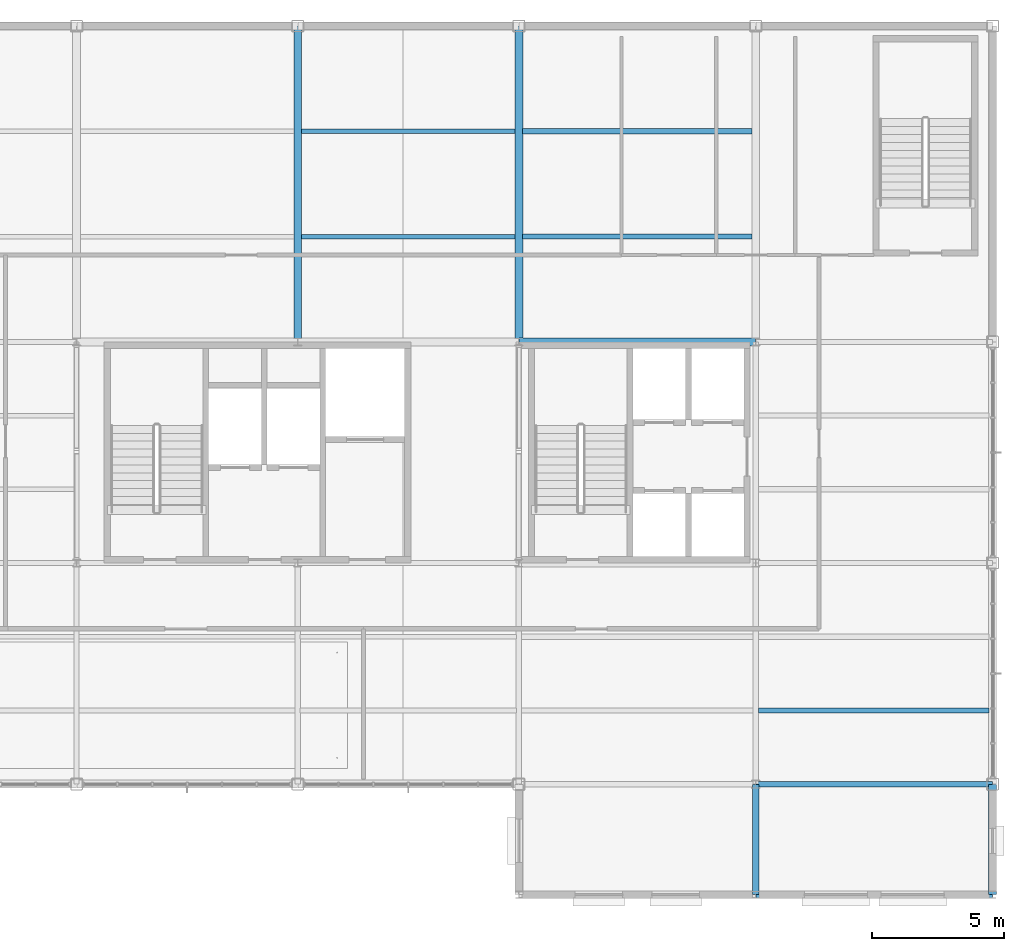
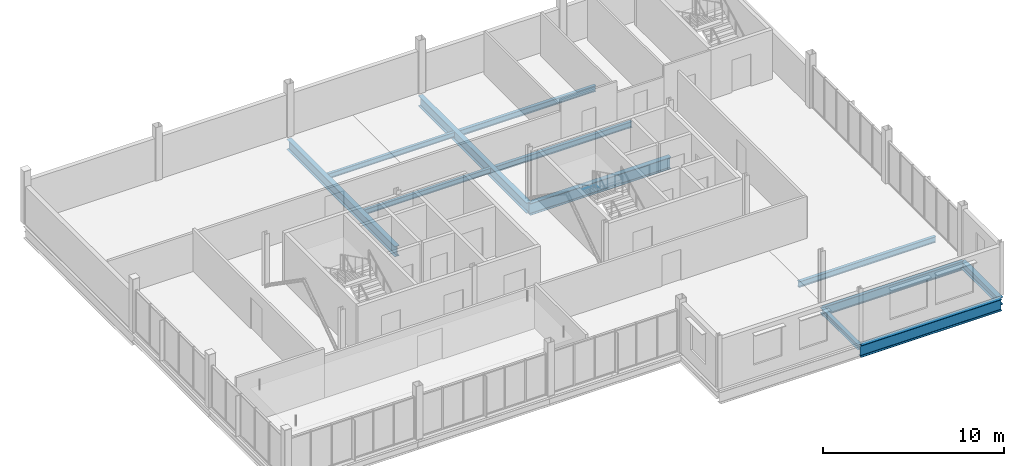
# One storey, part 7 of 19: 12 beams.
"""IFC4 building model written with IfcOpenShell, lengths in metres."""

from ifc_helpers import new_model, si_unit, direction, frame, origin, origin_2d, place, context, subcontext, project, spatial, i_section, extrude, material, material_profile, profile_set, type_object, element, save


model = new_model("IFC4")

# Units and contexts
model_context = context("Model", 3, precision=1e-05, world=origin(), true_north=direction((0.0, 1.0)))
body_context = subcontext(model_context, "Body", "Model", "MODEL_VIEW")
ifc_project = project(units=[si_unit("LENGTHUNIT", "METRE"), si_unit("AREAUNIT", "SQUARE_METRE"), si_unit("VOLUMEUNIT", "CUBIC_METRE"), si_unit("PLANEANGLEUNIT", "RADIAN"), si_unit("MASSUNIT", "GRAM", prefix="KILO")], contexts=[model_context])

# Site, building, storey
site_placement = place(None, origin())
site = spatial("IfcSite", under=ifc_project, at=site_placement, CompositionType="ELEMENT")
building_placement = place(site_placement, origin())
building = spatial("IfcBuilding", under=site, at=building_placement, Name="Yukiwa Park Conservatory and Herbarium", CompositionType="ELEMENT")
storey_placement = place(building_placement, frame((0.0, 0.0, 46.800048828125)))
storey = spatial("IfcBuildingStorey", under=building, at=storey_placement, Name="L12", CompositionType="ELEMENT", Elevation=46.800048828125)

# Beams
ifc_material_1 = material(Name="Steel Q355D", Category="steel")
ifc_material_profile_1 = material_profile(ifc_material_1, i_section(OverallWidth=0.25, OverallDepth=0.35009765625, WebThickness=0.009033203125, FlangeThickness=0.013916015625, FilletRadius=0.02001953125, at=origin_2d()), Name="HM 350x250x9x14")
ifc_profile_set_1 = profile_set([ifc_material_profile_1], Name="Steel Q355D")
beam_type_1 = type_object("IfcBeamType", Name="BM-GRD-HM350", PredefinedType="BEAM", material=ifc_profile_set_1)
beam_1_placement = place(storey_placement, frame((159.0, 82.2060546875, -0.421142578125), z_axis=(0.0, 1.0, 0.0), x_axis=(-1.0, 0.0, 0.0)))
element("IfcBeam", 1, at=beam_1_placement, inside=storey, type_object=beam_type_1, Name="L12 grid girder Y-35", PredefinedType="BEAM", context=body_context, shape_type="SweptSolid", body=[
    extrude(i_section(OverallWidth=0.25, OverallDepth=0.35009765625, WebThickness=0.009033203125, FlangeThickness=0.013916015625, FilletRadius=0.02001953125, at=origin_2d()), origin(), (0.0, 0.0, 1.0), 4.18798828125),
])
ifc_material_2 = material(Name="Steel Q355D", Category="steel")
ifc_material_profile_2 = material_profile(ifc_material_2, i_section(OverallWidth=0.198974609375, OverallDepth=0.595947265625, WebThickness=0.010009765625, FlangeThickness=0.014892578125, FilletRadius=0.02197265625, at=origin_2d()), Name="HN 596x199x10x15")
ifc_profile_set_2 = profile_set([ifc_material_profile_2], Name="Steel Q355D")
beam_type_2 = type_object("IfcBeamType", Name="BM-GRD-HN596", PredefinedType="BEAM", material=ifc_profile_set_2)
beam_2_placement = place(storey_placement, frame((159.006103515625, 86.39990234375, -0.5439453125), z_axis=(1.0, 0.0, 0.0), x_axis=(0.0, 1.0, 0.0)))
element("IfcBeam", 2, at=beam_2_placement, inside=storey, type_object=beam_type_2, Name="L12 grid beam X-7", PredefinedType="BEAM", context=body_context, shape_type="SweptSolid", body=[
    extrude(i_section(OverallWidth=0.198974609375, OverallDepth=0.595947265625, WebThickness=0.010009765625, FlangeThickness=0.014892578125, FilletRadius=0.02197265625, at=origin_2d()), origin(), (0.0, 0.0, 1.0), 8.98779296875),
])
ifc_material_3 = material(Name="Steel Q355D", Category="steel")
ifc_material_profile_3 = material_profile(ifc_material_3, i_section(OverallWidth=0.300048828125, OverallDepth=0.699951171875, WebThickness=0.012939453125, FlangeThickness=0.02392578125, FilletRadius=0.028076171875, at=origin_2d()), Name="HN 700x300x13x24")
ifc_profile_set_3 = profile_set([ifc_material_profile_3], Name="Steel Q355D")
beam_type_3 = type_object("IfcBeamType", Name="BM-GRD-HN700", PredefinedType="BEAM", material=ifc_profile_set_3)
for number, where, z_axis, x_axis, name in (
    (3, (141.60009765625, 103.2060546875, -0.595947265625), (0.0, 1.0, 0.0), (-1.0, 0.0, 0.0), "L12 grid girder Y-30"),
    (4, (150.0, 103.2060546875, -0.595947265625), (0.0, 1.0, 0.0), (-1.0, 0.0, 0.0), "L12 grid girder Y-34"),
):
    element("IfcBeam", number, at=place(storey_placement, frame(where, z_axis=z_axis, x_axis=x_axis)), inside=storey, type_object=beam_type_3, Name=name, PredefinedType="BEAM", context=body_context, shape_type="SweptSolid", body=[
        extrude(i_section(OverallWidth=0.300048828125, OverallDepth=0.699951171875, WebThickness=0.012939453125, FlangeThickness=0.02392578125, FilletRadius=0.028076171875, at=origin_2d()), origin(), (0.0, 0.0, 1.0), 11.988037109375),
    ])
ifc_material_4 = material(Name="Steel Q355D", Category="steel")
ifc_material_profile_4 = material_profile(ifc_material_4, i_section(OverallWidth=0.174072265625, OverallDepth=0.345947265625, WebThickness=0.006103515625, FlangeThickness=0.009033203125, FilletRadius=0.013916015625, at=origin_2d()), Name="HN 346x174x6x9")
ifc_profile_set_4 = profile_set([ifc_material_profile_4], Name="Steel Q355D")
beam_type_4 = type_object("IfcBeamType", Name="BM-JST-HN346", PredefinedType="JOIST", material=ifc_profile_set_4)
for number, where, z_axis, x_axis, name in (
    (5, (141.74609375, 107.199951171875, -0.4189453125), (1.0, 0.0, 0.0), (0.0, 1.0, 0.0), "L12 composite floor joist 13"),
    (6, (141.74609375, 111.199951171875, -0.4189453125), (1.0, 0.0, 0.0), (0.0, 1.0, 0.0), "L12 composite floor joist 14"),
):
    element("IfcBeam", number, at=place(storey_placement, frame(where, z_axis=z_axis, x_axis=x_axis)), inside=storey, type_object=beam_type_4, Name=name, PredefinedType="JOIST", context=body_context, shape_type="SweptSolid", body=[
        extrude(i_section(OverallWidth=0.174072265625, OverallDepth=0.345947265625, WebThickness=0.006103515625, FlangeThickness=0.009033203125, FilletRadius=0.013916015625, at=origin_2d()), origin(), (0.0, 0.0, 1.0), 8.10791015625),
    ])
ifc_material_5 = material(Name="Steel Q355D", Category="steel")
ifc_material_profile_5 = material_profile(ifc_material_5, i_section(OverallWidth=0.198974609375, OverallDepth=0.39599609375, WebThickness=0.007080078125, FlangeThickness=0.010986328125, FilletRadius=0.01611328125, at=origin_2d()), Name="HN 396x199x7x11")
ifc_profile_set_5 = profile_set([ifc_material_profile_5], Name="Steel Q355D")
beam_type_5 = type_object("IfcBeamType", Name="BM-JST-HN396", PredefinedType="JOIST", material=ifc_profile_set_5)
for number, where, z_axis, x_axis, name in (
    (7, (150.14599609375, 107.199951171875, -0.444091796875), (1.0, 0.0, 0.0), (0.0, 1.0, 0.0), "L12 composite floor joist 17"),
    (8, (150.14599609375, 111.199951171875, -0.444091796875), (1.0, 0.0, 0.0), (0.0, 1.0, 0.0), "L12 composite floor joist 18"),
):
    element("IfcBeam", number, at=place(storey_placement, frame(where, z_axis=z_axis, x_axis=x_axis)), inside=storey, type_object=beam_type_5, Name=name, PredefinedType="JOIST", context=body_context, shape_type="SweptSolid", body=[
        extrude(i_section(OverallWidth=0.198974609375, OverallDepth=0.39599609375, WebThickness=0.007080078125, FlangeThickness=0.010986328125, FilletRadius=0.01611328125, at=origin_2d()), origin(), (0.0, 0.0, 1.0), 8.7080078125),
    ])
beam_3_placement = place(storey_placement, frame((159.095947265625, 89.199951171875, -0.444091796875), z_axis=(1.0, 0.0, 0.0), x_axis=(0.0, 1.0, 0.0)))
element("IfcBeam", 9, at=beam_3_placement, inside=storey, type_object=beam_type_5, Name="L12 composite floor joist 19", PredefinedType="JOIST", context=body_context, shape_type="SweptSolid", body=[
    extrude(i_section(OverallWidth=0.198974609375, OverallDepth=0.39599609375, WebThickness=0.007080078125, FlangeThickness=0.010986328125, FilletRadius=0.01611328125, at=origin_2d()), origin(), (0.0, 0.0, 1.0), 8.758056640625),
])
ifc_material_6 = material(Name="Steel Q355D", Category="steel")
ifc_material_profile_6 = material_profile(ifc_material_6, i_section(OverallWidth=0.300048828125, OverallDepth=0.493896484375, WebThickness=0.010986328125, FlangeThickness=0.014892578125, FilletRadius=0.02392578125, at=origin_2d()), Name="HM 494x300x11x15")
ifc_profile_set_6 = profile_set([ifc_material_profile_6], Name="Steel Q355D")
beam_type_6 = type_object("IfcBeamType", Name="BM-SPN-HN450", PredefinedType="SPANDREL", material=ifc_profile_set_6)
beam_4_placement = place(storey_placement, frame((168.0, 82.2060546875, -0.4931640625), z_axis=(0.0, 1.0, 0.0), x_axis=(-1.0, 0.0, 0.0)))
element("IfcBeam", 10, at=beam_4_placement, inside=storey, type_object=beam_type_6, Name="L12 spandrel girder Y-39", PredefinedType="SPANDREL", context=body_context, shape_type="SweptSolid", body=[
    extrude(i_section(OverallWidth=0.300048828125, OverallDepth=0.493896484375, WebThickness=0.010986328125, FlangeThickness=0.014892578125, FilletRadius=0.02392578125, at=origin_2d()), origin(), (0.0, 0.0, 1.0), 4.18798828125),
])
ifc_material_7 = material(Name="Steel Q355D", Category="steel")
ifc_material_profile_7 = material_profile(ifc_material_7, i_section(OverallWidth=0.300048828125, OverallDepth=0.7919921875, WebThickness=0.013916015625, FlangeThickness=0.02197265625, FilletRadius=0.028076171875, at=origin_2d()), Name="HN 792x300x14x22")
ifc_profile_set_7 = profile_set([ifc_material_profile_7], Name="Steel Q355D")
beam_type_7 = type_object("IfcBeamType", Name="BM-SPN-HN600", PredefinedType="SPANDREL", material=ifc_profile_set_7)
for number, where, z_axis, x_axis, name in (
    (11, (159.006103515625, 82.199951171875, -0.64208984375), (1.0, 0.0, 0.0), (0.0, 1.0, 0.0), "L12 spandrel beam X-2"),
    (12, (150.006103515625, 103.199951171875, -0.64208984375), (1.0, 0.0, 0.0), (0.0, 1.0, 0.0), "L12 spandrel beam X-16"),
):
    element("IfcBeam", number, at=place(storey_placement, frame(where, z_axis=z_axis, x_axis=x_axis)), inside=storey, type_object=beam_type_7, Name=name, PredefinedType="SPANDREL", context=body_context, shape_type="SweptSolid", body=[
        extrude(i_section(OverallWidth=0.300048828125, OverallDepth=0.7919921875, WebThickness=0.013916015625, FlangeThickness=0.02197265625, FilletRadius=0.028076171875, at=origin_2d()), origin(), (0.0, 0.0, 1.0), 8.98779296875),
    ])

save(model, "model.ifc")
